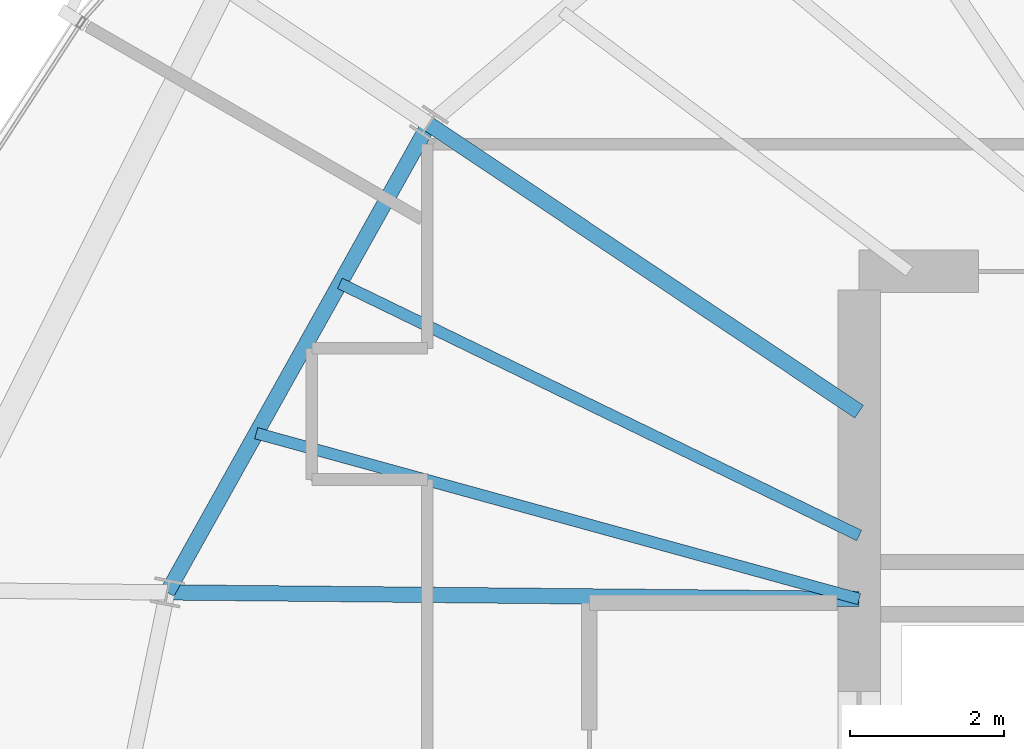
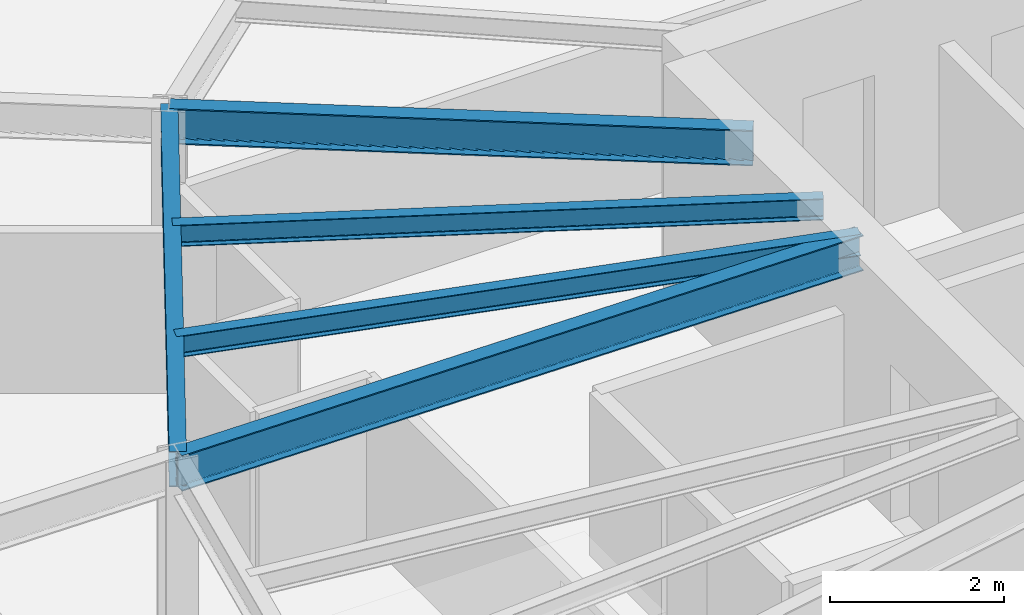
# One storey, part 12 of 35: 5 beams.
"""IFC4 building model written with IfcOpenShell, lengths in metres."""

from ifc_helpers import new_model, si_unit, direction, frame, origin, origin_2d, place, context, subcontext, project, spatial, i_section, extrude, source, transform, mapped, material, material_profile, profile_set, type_object, element, save


model = new_model("IFC4")

# Units and contexts
model_context = context("Model", 3, precision=1e-05, world=origin(), true_north=direction((0.0, 1.0)))
body_context = subcontext(model_context, "Body", "Model", "MODEL_VIEW")
ifc_project = project(units=[si_unit("LENGTHUNIT", "METRE"), si_unit("AREAUNIT", "SQUARE_METRE"), si_unit("VOLUMEUNIT", "CUBIC_METRE"), si_unit("PLANEANGLEUNIT", "RADIAN"), si_unit("MASSUNIT", "GRAM", prefix="KILO"), si_unit("THERMODYNAMICTEMPERATUREUNIT", "KELVIN")], contexts=[model_context])

# Site, building, storey
site_placement = place(None, origin())
site = spatial("IfcSite", under=ifc_project, at=site_placement, CompositionType="ELEMENT")
building_placement = place(site_placement, origin())
building = spatial("IfcBuilding", under=site, at=building_placement, Name="Kethvar Cultural Tower", CompositionType="ELEMENT")
storey_placement = place(building_placement, frame((0.0, 0.0, 179.89990234375)))
storey = spatial("IfcBuildingStorey", under=building, at=storey_placement, Name="L46", CompositionType="ELEMENT", Elevation=179.89990234375)

# Beams
ifc_material = material(Name="Steel S355J2", Category="steel")
ifc_material_profile_1 = material_profile(ifc_material, i_section(OverallWidth=0.199951171875, OverallDepth=0.5, WebThickness=0.01025390625, FlangeThickness=0.01611328125, FilletRadius=0.02099609375, at=origin_2d()), Name="Steel S355J2 — IPE500")
ifc_profile_set_1 = profile_set([ifc_material_profile_1], Name="Steel S355J2 — IPE500")
beam_type_1 = type_object("IfcBeamType", Name="BM-IPE500", PredefinedType="BEAM", material=ifc_profile_set_1)
shared_shape_1 = source(origin(), body_context, "Body", "SweptSolid", [
    extrude(i_section(OverallWidth=0.199951171875, OverallDepth=0.5, WebThickness=0.01025390625, FlangeThickness=0.01611328125, FilletRadius=0.02099609375, at=origin_2d()), origin(), (0.0, 0.0, 1.0), 6.713134765625),
])
beam_1_placement = place(storey_placement, frame((38.0, 33.679931640625, 3.008056640625), z_axis=(-0.831479157792, 0.55555594692, 0.0), x_axis=(-0.55555594692, -0.831479157792, 0.0)))
element("IfcBeam", 1, at=beam_1_placement, inside=storey, type_object=beam_type_1, Name="L46 Primary Radial Beam RB-07", PredefinedType="BEAM", context=body_context, shape_type="MappedRepresentation", body=[
    mapped(shared_shape_1, transform((0.0, 0.0, 0.0), scale=1.0)),
])
shared_shape_2 = source(origin(), body_context, "Body", "SweptSolid", [
    extrude(i_section(OverallWidth=0.199951171875, OverallDepth=0.5, WebThickness=0.01025390625, FlangeThickness=0.01611328125, FilletRadius=0.02099609375, at=origin_2d()), origin(), (0.0, 0.0, 1.0), 8.9755859375),
])
beam_2_placement = place(storey_placement, frame((38.0, 31.25, 3.008056640625), z_axis=(-0.999954421893, 0.00954746755, 0.0), x_axis=(-0.00954746755, -0.999954421893, 0.0)))
element("IfcBeam", 2, at=beam_2_placement, inside=storey, type_object=beam_type_1, Name="L46 Primary Radial Beam RB-08", PredefinedType="BEAM", context=body_context, shape_type="MappedRepresentation", body=[
    mapped(shared_shape_2, transform((0.0, 0.0, 0.0), scale=1.0)),
])
shared_shape_3 = source(origin(), body_context, "Body", "SweptSolid", [
    extrude(i_section(OverallWidth=0.199951171875, OverallDepth=0.5, WebThickness=0.01025390625, FlangeThickness=0.01611328125, FilletRadius=0.02099609375, at=origin_2d()), origin(), (0.0, 0.0, 1.0), 6.957275390625),
])
beam_3_placement = place(storey_placement, frame((32.418212890625, 37.409423828125, 3.008056640625), z_axis=(-0.487730122968, -0.872994459976, 0.0), x_axis=(0.872994459976, -0.487730122968, 0.0)))
element("IfcBeam", 3, at=beam_3_placement, inside=storey, type_object=beam_type_1, Name="L46 Column Ring Tie Beam CR-07", PredefinedType="BEAM", context=body_context, shape_type="MappedRepresentation", body=[
    mapped(shared_shape_3, transform((0.0, 0.0, 0.0), scale=1.0)),
])
ifc_material_profile_2 = material_profile(ifc_material, i_section(OverallWidth=0.14990234375, OverallDepth=0.300048828125, WebThickness=0.007080078125, FlangeThickness=0.0107421875, FilletRadius=0.014892578125, at=origin_2d()), Name="Steel S355J2 — IPE300")
ifc_profile_set_2 = profile_set([ifc_material_profile_2], Name="Steel S355J2 — IPE300")
beam_type_2 = type_object("IfcBeamType", Name="BM-J300", PredefinedType="JOIST", material=ifc_profile_set_2)
shared_shape_4 = source(origin(), body_context, "Body", "SweptSolid", [
    extrude(i_section(OverallWidth=0.14990234375, OverallDepth=0.300048828125, WebThickness=0.007080078125, FlangeThickness=0.0107421875, FilletRadius=0.014892578125, at=origin_2d()), origin(), (0.0, 0.0, 1.0), 7.48779296875),
])
beam_4_placement = place(storey_placement, frame((38.0, 32.073486328125, 3.108154296875), z_axis=(-0.8995385432, 0.436841400623, 0.0), x_axis=(-0.436841400623, -0.8995385432, 0.0)))
element("IfcBeam", 4, at=beam_4_placement, inside=storey, type_object=beam_type_2, Name="L46 Composite Floor Joist J-07A", PredefinedType="JOIST", context=body_context, shape_type="MappedRepresentation", body=[
    mapped(shared_shape_4, transform((0.0, 0.0, 0.0), scale=1.0)),
])
shared_shape_5 = source(origin(), body_context, "Body", "SweptSolid", [
    extrude(i_section(OverallWidth=0.14990234375, OverallDepth=0.300048828125, WebThickness=0.007080078125, FlangeThickness=0.0107421875, FilletRadius=0.014892578125, at=origin_2d()), origin(), (0.0, 0.0, 1.0), 8.111572265625),
])
beam_5_placement = place(storey_placement, frame((38.0, 31.25, 3.108154296875), z_axis=(-0.96420462331, 0.265159281164, 0.0), x_axis=(-0.265159281164, -0.96420462331, 0.0)))
element("IfcBeam", 5, at=beam_5_placement, inside=storey, type_object=beam_type_2, Name="L46 Composite Floor Joist J-07B", PredefinedType="JOIST", context=body_context, shape_type="MappedRepresentation", body=[
    mapped(shared_shape_5, transform((0.0, 0.0, 0.0), scale=1.0)),
])

save(model, "model.ifc")
